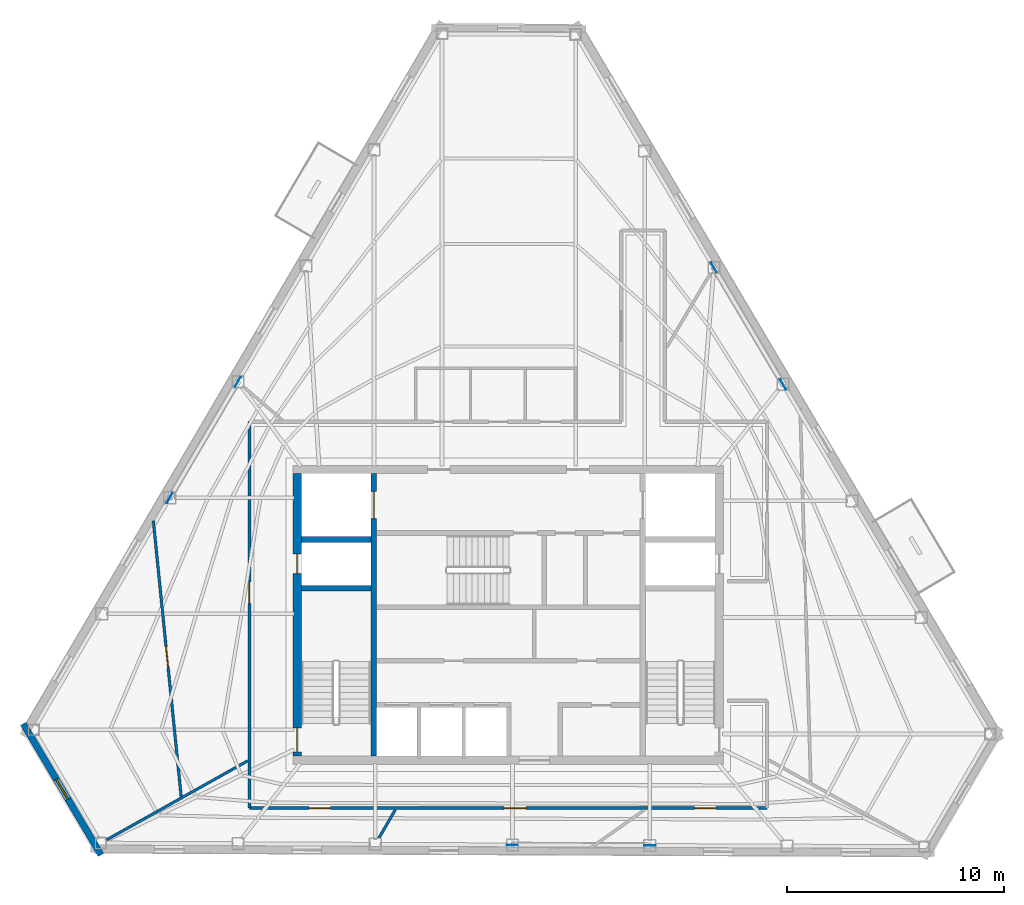
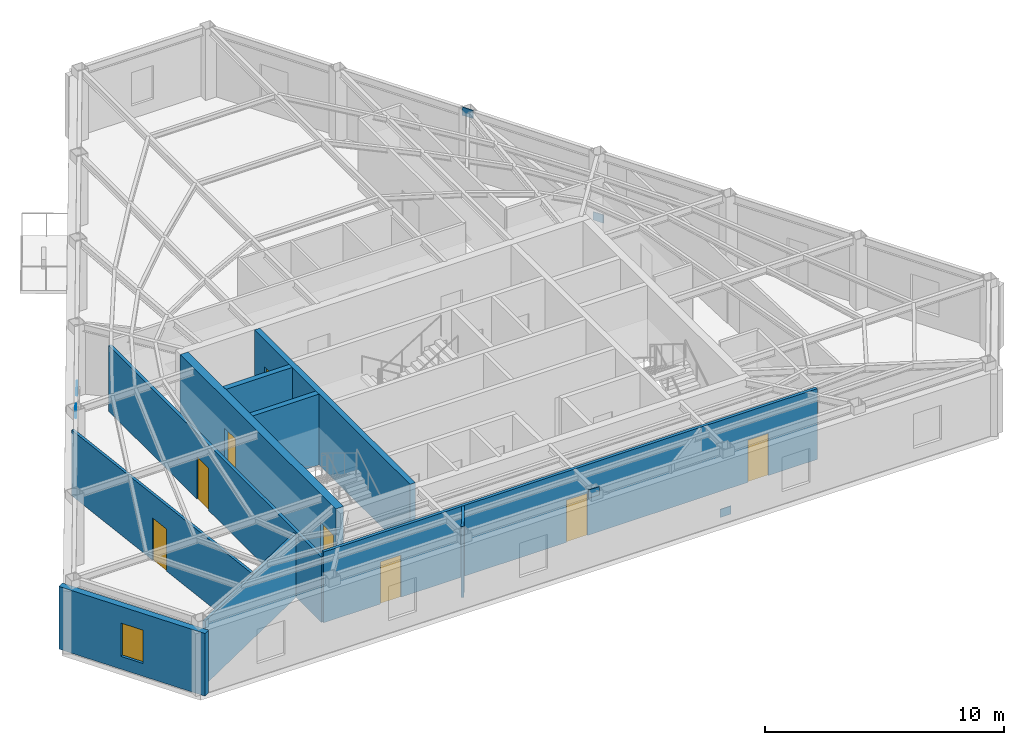
# One storey, part 4 of 9: 10 walls, 8 doors, 6 plates, 1 window, 9 openings.
"""IFC4 building model written with IfcOpenShell, lengths in metres."""

from ifc_helpers import new_model, si_unit, direction, frame, frame_2d, origin, origin_2d, place, context, subcontext, project, spatial, rectangle, extrude, material, layer, layer_set, type_object, element, fill, save


model = new_model("IFC4")

# Units and contexts
model_context = context("Model", 3, precision=1e-05, world=origin(), true_north=direction((0.0, 1.0)))
body_context = subcontext(model_context, "Body", "Model", "MODEL_VIEW")
ifc_project = project(units=[si_unit("LENGTHUNIT", "METRE"), si_unit("AREAUNIT", "SQUARE_METRE"), si_unit("VOLUMEUNIT", "CUBIC_METRE"), si_unit("PLANEANGLEUNIT", "RADIAN"), si_unit("MASSUNIT", "GRAM", prefix="KILO")], contexts=[model_context])

# Site, building, storey
site_placement = place(None, origin())
site = spatial("IfcSite", under=ifc_project, at=site_placement, CompositionType="ELEMENT")
building_placement = place(site_placement, origin())
building = spatial("IfcBuilding", under=site, at=building_placement, Name="Kavelnor Concourse Tower", CompositionType="ELEMENT")
storey_placement = place(building_placement, frame((0.0, 0.0, 270.300048828125)))
storey = spatial("IfcBuildingStorey", under=building, at=storey_placement, Name="L68", CompositionType="ELEMENT", Elevation=270.300048828125)

# Plates
ifc_material_1 = material(Name="Steel Grade 350", Category="steel")
ifc_layer_1 = layer(ifc_material_1, 0.031982421875, Name="Steel Grade 350")
ifc_layer_set_1 = layer_set([ifc_layer_1], Name="Steel Grade 350")
plate_type = type_object("IfcPlateType", Name="PL-GUSSET-TUBE-Z1", PredefinedType="USERDEFINED", material=ifc_layer_set_1)
for number, where, z_axis, x_axis, name in (
    (1, (25.563720703125, 26.835205078125, 0.010009765625), (0.0, 0.0, 1.0), (-0.506033764121, -0.862513669207, 0.0), "L68 Tube Brace Gusset GP3 F0-B3 End Gusset A"),
    (2, (22.419921875, 21.478271484375, 3.197021484375), (0.0, 0.0, 1.0), (-0.506033764121, -0.862513669207, 0.0), "L68 Tube Brace Gusset GP3 F0-B3 End Gusset B"),
    (3, (44.521484375, 5.4921875, 0.010009765625), (0.0, 0.0, 1.0), (-0.999990480721, 0.004363309285, 0.0), "L68 Tube Brace Gusset GP3 F1-B3 End Gusset A"),
    (4, (38.183349609375, 5.52001953125, 3.197021484375), (0.0, 0.0, 1.0), (-0.999990480721, 0.004363309285, 0.0), "L68 Tube Brace Gusset GP3 F1-B3 End Gusset B"),
    (5, (50.643798828125, 26.701904296875, 0.010009765625), (0.0, 0.0, 1.0), (-0.509792360946, 0.860297476877, 0.0), "L68 Tube Brace Gusset GP3 F2-B3 End Gusset A"),
    (6, (47.451904296875, 32.087646484375, 3.197021484375), (0.0, 0.0, 1.0), (-0.509792360946, 0.860297476877, 0.0), "L68 Tube Brace Gusset GP3 F2-B3 End Gusset B"),
):
    element("IfcPlate", number, at=place(storey_placement, frame(where, z_axis=z_axis, x_axis=x_axis)), inside=storey, type_object=plate_type, Name=name, ObjectType="GUSSET_PLATE", PredefinedType="USERDEFINED", context=body_context, shape_type="SweptSolid", body=[
        extrude(rectangle(XDim=0.52001953125, YDim=0.031982421875, at=origin_2d()), origin(), (0.0, 0.0, 1.0), 0.419921875),
    ])

# Wall, openings, doors
ifc_material_2 = material(Name="Concrete C50/60", Category="concrete")
ifc_layer_2 = layer(ifc_material_2, 0.3798828125, Name="Concrete C50/60")
ifc_layer_set_2 = layer_set([ifc_layer_2], Name="Concrete C50/60")
wall_type_1 = type_object("IfcWallType", Name="WL-CORE-Z4-380", PredefinedType="SOLIDWALL", material=ifc_layer_set_2)
wall_1_placement = place(storey_placement, frame((28.2900390625, 9.60009765625, 0.0), z_axis=(0.0, 0.0, 1.0), x_axis=(0.0, 1.0, 0.0)))
wall_1 = element("IfcWall", 7, at=wall_1_placement, inside=storey, type_object=wall_type_1, Name="L68 Central Core West Shear Wall", PredefinedType="SOLIDWALL", context=body_context, shape_type="SweptSolid", body=[
    extrude(rectangle(XDim=13.0, YDim=0.3798828125, at=frame_2d((6.5, 0.0))), origin(), (0.0, 0.0, 1.0), 3.60986328125),
])
opening_1_placement = place(wall_1_placement, frame((0.199951171875, 0.0, 0.0)))
opening_1 = element("IfcOpeningElement", 8, at=opening_1_placement, cuts=wall_1, Name="Opening FD-110", PredefinedType="OPENING", context=body_context, shape_type="SweptSolid", body=[
    extrude(rectangle(XDim=1.10009765625, YDim=2.14990234375, at=frame_2d((0.550048828125, 1.074951171875))), frame((0.0, 0.199951171875, 0.0), z_axis=(0.0, -1.0, 0.0), x_axis=(1.0, 0.0, 0.0)), (0.0, 0.0, 1.0), 0.39990234375),
])
opening_2_placement = place(wall_1_placement, frame((8.39990234375, 0.0, 0.0)))
opening_2 = element("IfcOpeningElement", 9, at=opening_2_placement, cuts=wall_1, Name="Opening FD-090", PredefinedType="OPENING", context=body_context, shape_type="SweptSolid", body=[
    extrude(rectangle(XDim=0.89990234375, YDim=2.10009765625, at=frame_2d((0.449951171875, 1.050048828125))), frame((0.0, 0.199951171875, 0.0), z_axis=(0.0, -1.0, 0.0), x_axis=(1.0, 0.0, 0.0)), (0.0, 0.0, 1.0), 0.39990234375),
])
door_type_1 = type_object("IfcDoorType", Name="DR-RISER-FIRE-900", OperationType="NOTDEFINED", PredefinedType="DOOR", material=ifc_material_1)
door_1_placement = place(opening_2_placement, origin())
door_1 = element("IfcDoor", 10, at=door_1_placement, inside=storey, type_object=door_type_1, Name="L68 West Riser Access Door", OperationType="SINGLE_SWING_RIGHT", OverallHeight=2.10009765625, OverallWidth=0.89990234375, PredefinedType="DOOR", context=body_context, shape_type="SweptSolid", body=[
    extrude(rectangle(XDim=0.89990234375, YDim=2.10009765625, at=frame_2d((0.449951171875, 1.050048828125))), frame((0.0, 0.02490234375, 0.0), z_axis=(0.0, -1.0, 0.0), x_axis=(1.0, 0.0, 0.0)), (0.0, 0.0, 1.0), 0.050048828125),
])
fill(opening_2, door_1)
door_type_2 = type_object("IfcDoorType", Name="DR-STAIR-FIRE-1100", OperationType="NOTDEFINED", PredefinedType="DOOR", material=ifc_material_1)
door_2_placement = place(opening_1_placement, origin())
door_2 = element("IfcDoor", 11, at=door_2_placement, inside=storey, type_object=door_type_2, Name="L68 Stair ST1 Fire Door", OperationType="SINGLE_SWING_LEFT", OverallHeight=2.14990234375, OverallWidth=1.10009765625, PredefinedType="DOOR", context=body_context, shape_type="SweptSolid", body=[
    extrude(rectangle(XDim=1.10009765625, YDim=2.14990234375, at=frame_2d((0.550048828125, 1.074951171875))), frame((0.0, 0.02490234375, 0.0), z_axis=(0.0, -1.0, 0.0), x_axis=(1.0, 0.0, 0.0)), (0.0, 0.0, 1.0), 0.050048828125),
])
fill(opening_1, door_2)

# Wall, opening, window
ifc_material_3 = material(Name="Buff ironspot clay face brick masonry", Category="masonry")
ifc_layer_3 = layer(ifc_material_3, 0.300048828125, Name="Buff ironspot clay face brick masonry")
ifc_layer_set_3 = layer_set([ifc_layer_3], Name="Buff ironspot clay face brick masonry")
wall_type_2 = type_object("IfcWallType", Name="WL-EXT-BUFF-BRICK-FOLD-300", PredefinedType="STANDARD", material=ifc_layer_set_3)
wall_2_placement = place(storey_placement, frame((19.261474609375, 5.05859375, 0.0), z_axis=(0.0, 0.0, 1.0), x_axis=(-0.509846271697, 0.860265528332, 0.0)))
wall_2 = element("IfcWall", 12, at=wall_2_placement, inside=storey, type_object=wall_type_2, Name="L68 Exterior Brick Facade Wall E2", PredefinedType="STANDARD", context=body_context, shape_type="SweptSolid", body=[
    extrude(rectangle(XDim=7.01513671875, YDim=0.300048828125, at=frame_2d((3.507568359375, 0.0))), origin(), (0.0, 0.0, 1.0), 3.196044921875),
])
opening_3_placement = place(wall_2_placement, frame((2.982666015625, 0.0, 0.64990234375)))
opening_3 = element("IfcOpeningElement", 13, at=opening_3_placement, cuts=wall_2, Name="Opening W-06", PredefinedType="OPENING", context=body_context, shape_type="SweptSolid", body=[
    extrude(rectangle(XDim=1.050048828125, YDim=1.699951171875, at=frame_2d((0.52490234375, 0.85009765625))), frame((0.0, 0.16015625, 0.0), z_axis=(0.0, -1.0, 0.0), x_axis=(1.0, 0.0, 0.0)), (0.0, 0.0, 1.0), 0.320068359375),
])
ifc_material_4 = material(Name="Double low-E argon insulated glazing", Category="glass")
window_type = type_object("IfcWindowType", Name="WIN-FOLD-1050", PartitioningType="SINGLE_PANEL", PredefinedType="WINDOW", material=ifc_material_4)
window_placement = place(opening_3_placement, origin())
window = element("IfcWindow", 14, at=window_placement, inside=storey, type_object=window_type, Name="L68 Chamfer-Fold Facet Window C1", OverallHeight=1.699951171875, OverallWidth=1.050048828125, PartitioningType="SINGLE_PANEL", PredefinedType="WINDOW", context=body_context, shape_type="SweptSolid", body=[
    extrude(rectangle(XDim=1.050048828125, YDim=1.699951171875, at=frame_2d((0.52490234375, 0.85009765625))), frame((0.0, 0.030029296875, 0.0), z_axis=(0.0, -1.0, 0.0), x_axis=(1.0, 0.0, 0.0)), (0.0, 0.0, 1.0), 0.06005859375),
])
fill(opening_3, window)

# Wall, openings, doors
ifc_material_5 = material(Name="Gypsum plasterboard on light-gauge steel studs", Category="steel")
ifc_layer_4 = layer(ifc_material_5, 0.14501953125, Name="Gypsum plasterboard on light-gauge steel studs")
ifc_layer_set_4 = layer_set([ifc_layer_4], Name="Gypsum plasterboard on light-gauge steel studs")
wall_type_3 = type_object("IfcWallType", Name="WL-INT-CORR-145", PredefinedType="PARTITIONING", material=ifc_layer_set_4)
wall_3_placement = place(storey_placement, frame((49.909912109375, 7.2099609375, 0.0), z_axis=(0.0, 0.0, 1.0), x_axis=(-1.0, 0.0, 0.0)))
wall_3 = element("IfcWall", 15, at=wall_3_placement, inside=storey, type_object=wall_type_3, Name="L68 Corridor Wall WL-L68-CR-09", PredefinedType="PARTITIONING", context=body_context, shape_type="SweptSolid", body=[
    extrude(rectangle(XDim=23.81982421875, YDim=0.14501953125, at=frame_2d((11.909912109375, 0.0))), origin(), (0.0, 0.0, 1.0), 3.60986328125),
])
opening_4_placement = place(wall_3_placement, frame((20.092529296875, 0.0, 0.0)))
opening_4 = element("IfcOpeningElement", 16, at=opening_4_placement, cuts=wall_3, Name="Opening OD-098", PredefinedType="OPENING", context=body_context, shape_type="SweptSolid", body=[
    extrude(rectangle(XDim=0.97998046875, YDim=2.14990234375, at=frame_2d((0.489990234375, 1.074951171875))), frame((0.0, 0.08251953125, 0.0), z_axis=(0.0, -1.0, 0.0), x_axis=(1.0, 0.0, 0.0)), (0.0, 0.0, 1.0), 0.1650390625),
])
opening_5_placement = place(wall_3_placement, frame((11.0908203125, 0.0, 0.0)))
opening_5 = element("IfcOpeningElement", 17, at=opening_5_placement, cuts=wall_3, Name="Opening MD-102", PredefinedType="OPENING", context=body_context, shape_type="SweptSolid", body=[
    extrude(rectangle(XDim=1.02001953125, YDim=2.14990234375, at=frame_2d((0.510009765625, 1.074951171875))), frame((0.0, 0.08251953125, 0.0), z_axis=(0.0, -1.0, 0.0), x_axis=(1.0, 0.0, 0.0)), (0.0, 0.0, 1.0), 0.1650390625),
])
opening_6_placement = place(wall_3_placement, frame((2.361083984375, 0.0, 0.0)))
opening_6 = element("IfcOpeningElement", 18, at=opening_6_placement, cuts=wall_3, Name="Opening OD-098", PredefinedType="OPENING", context=body_context, shape_type="SweptSolid", body=[
    extrude(rectangle(XDim=0.97998046875, YDim=2.14990234375, at=frame_2d((0.489990234375, 1.074951171875))), frame((0.0, 0.08251953125, 0.0), z_axis=(0.0, -1.0, 0.0), x_axis=(1.0, 0.0, 0.0)), (0.0, 0.0, 1.0), 0.1650390625),
])
ifc_material_6 = material(Name="Acoustic glazed timber frame", Category="wood")
door_type_3 = type_object("IfcDoorType", Name="DR-MEETING-1020", OperationType="NOTDEFINED", PredefinedType="DOOR", material=ifc_material_6)
door_3_placement = place(opening_5_placement, origin())
door_3 = element("IfcDoor", 19, at=door_3_placement, inside=storey, type_object=door_type_3, Name="L68 Client Boardroom 07 Door", OperationType="SINGLE_SWING_RIGHT", OverallHeight=2.14990234375, OverallWidth=1.02001953125, PredefinedType="DOOR", context=body_context, shape_type="SweptSolid", body=[
    extrude(rectangle(XDim=1.02001953125, YDim=2.14990234375, at=frame_2d((0.510009765625, 1.074951171875))), frame((0.0, 0.02490234375, 0.0), z_axis=(0.0, -1.0, 0.0), x_axis=(1.0, 0.0, 0.0)), (0.0, 0.0, 1.0), 0.050048828125),
])
fill(opening_5, door_3)
ifc_material_7 = material(Name="Solid-core hardwood timber", Category="wood")
door_type_4 = type_object("IfcDoorType", Name="DR-OFFICE-980", OperationType="NOTDEFINED", PredefinedType="DOOR", material=ifc_material_7)
door_4_placement = place(opening_4_placement, origin())
door_4 = element("IfcDoor", 20, at=door_4_placement, inside=storey, type_object=door_type_4, Name="L68 Building Staff Breakroom 06 Door", OperationType="SINGLE_SWING_LEFT", OverallHeight=2.14990234375, OverallWidth=0.97998046875, PredefinedType="DOOR", context=body_context, shape_type="SweptSolid", body=[
    extrude(rectangle(XDim=0.97998046875, YDim=2.14990234375, at=frame_2d((0.489990234375, 1.074951171875))), frame((0.0, 0.02490234375, 0.0), z_axis=(0.0, -1.0, 0.0), x_axis=(1.0, 0.0, 0.0)), (0.0, 0.0, 1.0), 0.050048828125),
])
fill(opening_4, door_4)
door_5_placement = place(opening_6_placement, origin())
door_5 = element("IfcDoor", 21, at=door_5_placement, inside=storey, type_object=door_type_4, Name="L68 Tenant Bookstore Retail Shop 08 Door", OperationType="SINGLE_SWING_LEFT", OverallHeight=2.14990234375, OverallWidth=0.97998046875, PredefinedType="DOOR", context=body_context, shape_type="SweptSolid", body=[
    extrude(rectangle(XDim=0.97998046875, YDim=2.14990234375, at=frame_2d((0.489990234375, 1.074951171875))), frame((0.0, 0.02490234375, 0.0), z_axis=(0.0, -1.0, 0.0), x_axis=(1.0, 0.0, 0.0)), (0.0, 0.0, 1.0), 0.050048828125),
])
fill(opening_6, door_5)

# Wall, opening, door
wall_4_placement = place(storey_placement, frame((26.090087890625, 7.2099609375, 0.0), z_axis=(0.0, 0.0, 1.0), x_axis=(0.0, 1.0, 0.0)))
wall_4 = element("IfcWall", 22, at=wall_4_placement, inside=storey, type_object=wall_type_3, Name="L68 Corridor Wall WL-L68-CR-10", PredefinedType="PARTITIONING", context=body_context, shape_type="SweptSolid", body=[
    extrude(rectangle(XDim=17.780029296875, YDim=0.14501953125, at=frame_2d((8.89013671875, 0.0))), origin(), (0.0, 0.0, 1.0), 3.348876953125),
])
opening_7_placement = place(wall_4_placement, frame((9.416015625, 0.0, 0.0)))
opening_7 = element("IfcOpeningElement", 23, at=opening_7_placement, cuts=wall_4, Name="Opening OD-098", PredefinedType="OPENING", context=body_context, shape_type="SweptSolid", body=[
    extrude(rectangle(XDim=0.97998046875, YDim=2.14990234375, at=frame_2d((0.489990234375, 1.074951171875))), frame((0.0, 0.08251953125, 0.0), z_axis=(0.0, -1.0, 0.0), x_axis=(1.0, 0.0, 0.0)), (0.0, 0.0, 1.0), 0.1650390625),
])
door_6_placement = place(opening_7_placement, origin())
door_6 = element("IfcDoor", 24, at=door_6_placement, inside=storey, type_object=door_type_4, Name="L68 Building Staff Breakroom 04 Door", OperationType="SINGLE_SWING_LEFT", OverallHeight=2.14990234375, OverallWidth=0.97998046875, PredefinedType="DOOR", context=body_context, shape_type="SweptSolid", body=[
    extrude(rectangle(XDim=0.97998046875, YDim=2.14990234375, at=frame_2d((0.489990234375, 1.074951171875))), frame((0.0, 0.02490234375, 0.0), z_axis=(0.0, -1.0, 0.0), x_axis=(1.0, 0.0, 0.0)), (0.0, 0.0, 1.0), 0.050048828125),
])
fill(opening_7, door_6)

# Walls
ifc_layer_5 = layer(ifc_material_5, 0.125, Name="Gypsum plasterboard on light-gauge steel studs")
ifc_layer_set_5 = layer_set([ifc_layer_5], Name="Gypsum plasterboard on light-gauge steel studs")
wall_type_4 = type_object("IfcWallType", Name="WL-INT-SUITE-125", PredefinedType="PARTITIONING", material=ifc_layer_set_5)
wall_5_placement = place(storey_placement, frame((26.009521484375, 9.3857421875, 0.0), z_axis=(0.0, 0.0, 1.0), x_axis=(-0.872521690704, -0.488575377246, 0.0)))
element("IfcWall", 25, at=wall_5_placement, inside=storey, type_object=wall_type_4, Name="L68 Radial Suite Partition 03", PredefinedType="PARTITIONING", context=body_context, shape_type="SweptSolid", body=[
    extrude(rectangle(XDim=7.4365234375, YDim=0.125, at=frame_2d((3.71826171875, 0.0))), origin(), (0.0, 0.0, 1.0), 3.245849609375),
])
wall_6_placement = place(storey_placement, frame((32.798583984375, 7.12939453125, 0.0), z_axis=(0.0, 0.0, 1.0), x_axis=(-0.501718089772, -0.865031189262, 0.0)))
element("IfcWall", 26, at=wall_6_placement, inside=storey, type_object=wall_type_4, Name="L68 Radial Suite Partition 04", PredefinedType="PARTITIONING", context=body_context, shape_type="SweptSolid", body=[
    extrude(rectangle(XDim=1.495849609375, YDim=0.125, at=frame_2d((0.748046875, 0.0))), origin(), (0.0, 0.0, 1.0), 3.60986328125),
])

# Wall, opening, door
wall_7_placement = place(storey_placement, frame((21.668701171875, 20.434814453125, 0.0), z_axis=(0.0, 0.0, 1.0), x_axis=(0.100422843379, -0.994944848988, 0.0)))
wall_7 = element("IfcWall", 27, at=wall_7_placement, inside=storey, type_object=wall_type_4, Name="L68 Suite Subdivision Partition 03", PredefinedType="PARTITIONING", context=body_context, shape_type="SweptSolid", body=[
    extrude(rectangle(XDim=12.80712890625, YDim=0.125, at=frame_2d((6.403564453125, 0.0))), origin(), (0.0, 0.0, 1.0), 3.348876953125),
])
opening_8_placement = place(wall_7_placement, frame((5.80029296875, 0.0, 0.0)))
opening_8 = element("IfcOpeningElement", 28, at=opening_8_placement, cuts=wall_7, Name="Opening OD-098", PredefinedType="OPENING", context=body_context, shape_type="SweptSolid", body=[
    extrude(rectangle(XDim=0.97998046875, YDim=2.14990234375, at=frame_2d((0.489990234375, 1.074951171875))), frame((0.0, 0.072509765625, 0.0), z_axis=(0.0, -1.0, 0.0), x_axis=(1.0, 0.0, 0.0)), (0.0, 0.0, 1.0), 0.14501953125),
])
door_7_placement = place(opening_8_placement, origin())
door_7 = element("IfcDoor", 29, at=door_7_placement, inside=storey, type_object=door_type_4, Name="L68 Building Staff Breakroom 05 Door", OperationType="SINGLE_SWING_RIGHT", OverallHeight=2.14990234375, OverallWidth=0.97998046875, PredefinedType="DOOR", context=body_context, shape_type="SweptSolid", body=[
    extrude(rectangle(XDim=0.97998046875, YDim=2.14990234375, at=frame_2d((0.489990234375, 1.074951171875))), frame((0.0, 0.02490234375, 0.0), z_axis=(0.0, -1.0, 0.0), x_axis=(1.0, 0.0, 0.0)), (0.0, 0.0, 1.0), 0.050048828125),
])
fill(opening_8, door_7)

ifc_layer_6 = layer(ifc_material_2, 0.260009765625, Name="Concrete C50/60")
ifc_layer_set_6 = layer_set([ifc_layer_6], Name="Concrete C50/60")
wall_type_5 = type_object("IfcWallType", Name="WL-SHAFT-260", PredefinedType="SHEAR", material=ifc_layer_set_6)
wall_8_placement = place(storey_placement, frame((31.81005859375, 9.60009765625, 0.0), z_axis=(0.0, 0.0, 1.0), x_axis=(0.0, 1.0, 0.0)))
wall_8 = element("IfcWall", 30, at=wall_8_placement, inside=storey, type_object=wall_type_5, Name="L68 Core West Wing Shear Wall", PredefinedType="SHEAR", context=body_context, shape_type="SweptSolid", body=[
    extrude(rectangle(XDim=13.0, YDim=0.260009765625, at=frame_2d((6.5, 0.0))), origin(), (0.0, 0.0, 1.0), 3.60986328125),
])
opening_9_placement = place(wall_8_placement, frame((10.925048828125, 0.0, 0.0)))
opening_9 = element("IfcOpeningElement", 31, at=opening_9_placement, cuts=wall_8, Name="Opening LD-125", PredefinedType="OPENING", context=body_context, shape_type="SweptSolid", body=[
    extrude(rectangle(XDim=1.25, YDim=2.25, at=frame_2d((0.625, 1.125))), frame((0.0, 0.14013671875, 0.0), z_axis=(0.0, -1.0, 0.0), x_axis=(1.0, 0.0, 0.0)), (0.0, 0.0, 1.0), 0.280029296875),
])
door_type_5 = type_object("IfcDoorType", Name="DR-LIFT-SLIDING-1250", OperationType="NOTDEFINED", PredefinedType="DOOR", material=ifc_material_1)
door_8_placement = place(opening_9_placement, origin())
door_8 = element("IfcDoor", 32, at=door_8_placement, inside=storey, type_object=door_type_5, Name="L68 Emergency Lift FL1 Landing Door", OperationType="DOUBLE_DOOR_SLIDING", OverallHeight=2.25, OverallWidth=1.25, PredefinedType="DOOR", context=body_context, shape_type="SweptSolid", body=[
    extrude(rectangle(XDim=1.25, YDim=2.25, at=frame_2d((0.625, 1.125))), frame((0.0, 0.02490234375, 0.0), z_axis=(0.0, -1.0, 0.0), x_axis=(1.0, 0.0, 0.0)), (0.0, 0.0, 1.0), 0.050048828125),
])
fill(opening_9, door_8)

# Walls
for number, where, z_axis, x_axis, name in (
    (33, (28.47998046875, 17.330078125, 0.0), (0.0, 0.0, 1.0), (1.0, 0.0, 0.0), "L68 Stair ST1 North Shaft Wall"),
    (34, (28.47998046875, 19.570068359375, 0.0), (0.0, 0.0, 1.0), (1.0, 0.0, 0.0), "L68 Emergency Lift FL1 South Shaft Wall"),
):
    element("IfcWall", number, at=place(storey_placement, frame(where, z_axis=z_axis, x_axis=x_axis)), inside=storey, type_object=wall_type_5, Name=name, PredefinedType="SHEAR", context=body_context, shape_type="SweptSolid", body=[
        extrude(rectangle(XDim=3.199951171875, YDim=0.260009765625, at=frame_2d((1.60009765625, 0.0))), origin(), (0.0, 0.0, 1.0), 3.60986328125),
    ])

save(model, "model.ifc")
